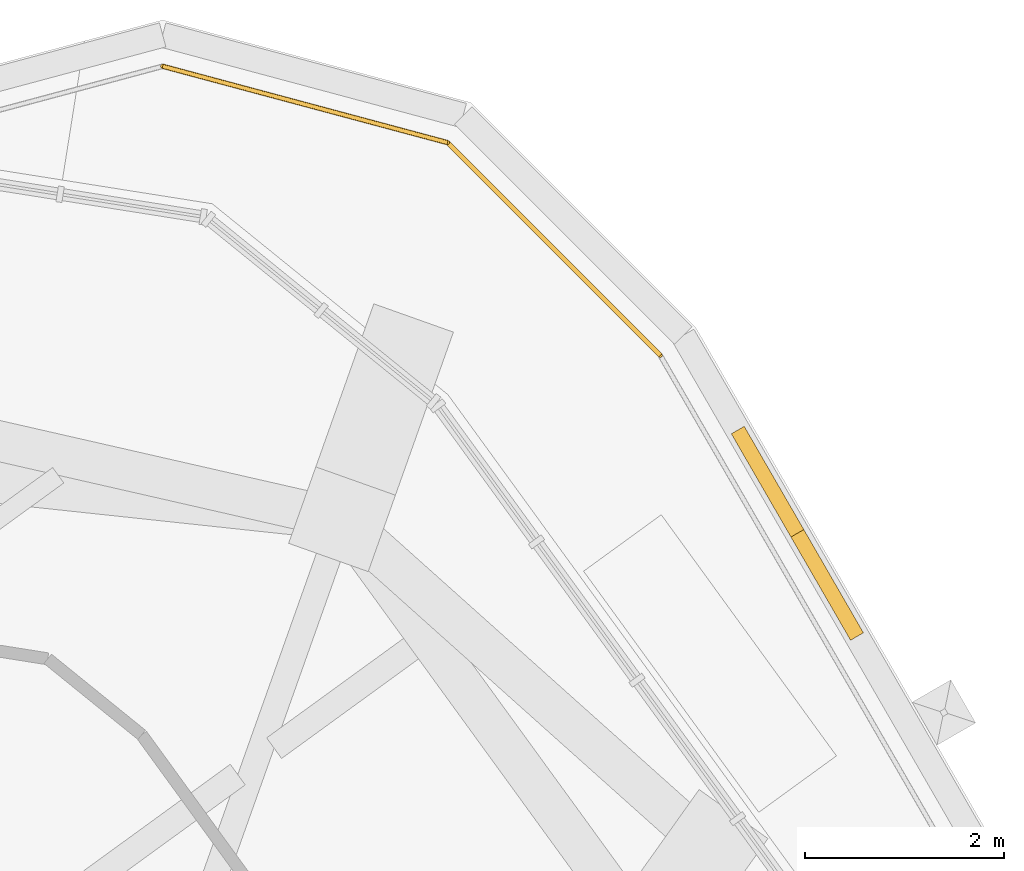
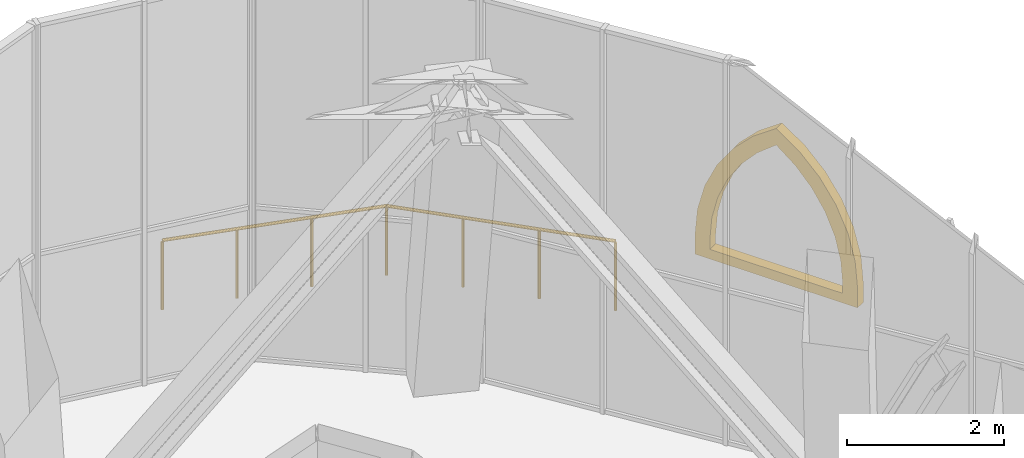
# One storey, part 17 of 18: 2 railings, 1 shading device.
"""IFC4 building model written with IfcOpenShell, lengths in metres."""

from ifc_helpers import new_model, si_unit, direction, frame, origin, origin_2d, place, context, subcontext, project, spatial, polyline, circle, outline, extrude, material, type_object, element, save


model = new_model("IFC4")

# Units and contexts
model_context = context("Model", 3, precision=1e-05, world=origin(), true_north=direction((0.0, 1.0)))
body_context = subcontext(model_context, "Body", "Model", "MODEL_VIEW")
ifc_project = project(units=[si_unit("LENGTHUNIT", "METRE"), si_unit("AREAUNIT", "SQUARE_METRE"), si_unit("VOLUMEUNIT", "CUBIC_METRE"), si_unit("PLANEANGLEUNIT", "RADIAN"), si_unit("MASSUNIT", "GRAM", prefix="KILO")], contexts=[model_context])

# Site, building, storey
site_placement = place(None, origin())
site = spatial("IfcSite", under=ifc_project, at=site_placement, CompositionType="ELEMENT")
building_placement = place(site_placement, origin())
building = spatial("IfcBuilding", under=site, at=building_placement, Name="Nakasero Lantern House", CompositionType="ELEMENT")
storey_placement = place(building_placement, frame((0.0, 0.0, 257.75)))
storey = spatial("IfcBuildingStorey", under=building, at=storey_placement, Name="L63", CompositionType="ELEMENT", Elevation=257.75)

# Shading device
ifc_material_1 = material(Name="Aluminium 6063-T6", Category="aluminium")
shading_device_type = type_object("IfcShadingDeviceType", Name="Lancet screen 2400", PredefinedType="USERDEFINED", material=ifc_material_1)
shading_device_placement = place(storey_placement, frame((10.635498046875, 16.878662109375, 1.10009765625), z_axis=(0.0, 0.0, 1.0), x_axis=(-0.5, 0.866025404, 0.0)))
element("IfcShadingDevice", 1, at=shading_device_placement, inside=storey, type_object=shading_device_type, Name="Tracery screen L63 0-01", ObjectType="LANCET SCREEN", PredefinedType="USERDEFINED", context=body_context, shape_type="SweptSolid", body=[
    extrude(outline(polyline([(-1.199951171875, 0.0), (1.199951171875, 0.0), (1.199951171875, 0.300048828125), (1.16357421875, 0.716796875), (1.05517578125, 1.120849609375), (0.87841796875, 1.5), (0.638427734375, 1.8427734375), (0.3427734375, 2.138427734375), (0.0, 2.37841796875), (-0.3427734375, 2.138427734375), (-0.638427734375, 1.8427734375), (-0.87841796875, 1.5), (-1.05517578125, 1.120849609375), (-1.16357421875, 0.716796875), (-1.199951171875, 0.300048828125), (-1.199951171875, 0.0)]), holes=[polyline([(-0.97998046875, 0.14990234375), (0.97998046875, 0.14990234375), (0.97998046875, 0.300048828125), (0.950439453125, 0.6572265625), (0.86279296875, 1.0048828125), (0.719482421875, 1.33349609375), (0.524169921875, 1.63427734375), (0.281982421875, 1.898681640625), (0.0, 2.1201171875), (-0.281982421875, 1.898681640625), (-0.524169921875, 1.63427734375), (-0.719482421875, 1.33349609375), (-0.86279296875, 1.0048828125), (-0.950439453125, 0.6572265625), (-0.97998046875, 0.300048828125), (-0.97998046875, 0.14990234375)])]), frame((0.0, 0.074951171875, 0.0), z_axis=(0.0, -1.0, 0.0), x_axis=(1.0, 0.0, 0.0)), (0.0, 0.0, 1.0), 0.14990234375),
])

# Railings
ifc_material_2 = material(Name="Aluminium 6063-T6", Category="aluminium")
railing_type = type_object("IfcRailingType", Name="Sky garden guard 1100", PredefinedType="GUARDRAIL", material=ifc_material_2)
railing_1_placement = place(storey_placement, frame((4.245849609375, 21.580078125, 0.0)))
element("IfcRailing", 2, at=railing_1_placement, inside=storey, type_object=railing_type, Name="Sky garden guard L63 10", PredefinedType="GUARDRAIL", context=body_context, shape_type="SweptSolid", body=[
    extrude(circle(Radius=0.02392578125, at=origin_2d()), frame((0.0, 0.0, 1.076171875), z_axis=(0.965921617442, -0.258834752222, 0.0), x_axis=(0.258834752222, 0.965921617442, 0.0)), (0.0, 0.0, 1.0), 2.96826171875),
    extrude(circle(Radius=0.02099609375, at=origin_2d()), origin(), (0.0, 0.0, 1.0), 1.052001953125),
    extrude(circle(Radius=0.02099609375, at=origin_2d()), frame((0.955810546875, -0.256103515625, 0.0)), (0.0, 0.0, 1.0), 1.052001953125),
    extrude(circle(Radius=0.02099609375, at=origin_2d()), frame((1.911376953125, -0.51220703125, 0.0)), (0.0, 0.0, 1.0), 1.052001953125),
    extrude(circle(Radius=0.02099609375, at=origin_2d()), frame((2.8671875, -0.768310546875, 0.0)), (0.0, 0.0, 1.0), 1.052001953125),
])
railing_2_placement = place(storey_placement, frame((7.113037109375, 20.811767578125, 0.0)))
element("IfcRailing", 3, at=railing_2_placement, inside=storey, type_object=railing_type, Name="Sky garden guard L63 11", PredefinedType="GUARDRAIL", context=body_context, shape_type="SweptSolid", body=[
    extrude(circle(Radius=0.02392578125, at=origin_2d()), frame((0.0, 0.0, 1.076171875), z_axis=(0.707106781187, -0.707106781187, 0.0), x_axis=(0.707106781187, 0.707106781187, 0.0)), (0.0, 0.0, 1.0), 3.029296875),
    extrude(circle(Radius=0.02099609375, at=origin_2d()), origin(), (0.0, 0.0, 1.0), 1.052001953125),
    extrude(circle(Radius=0.02099609375, at=origin_2d()), frame((0.714111328125, -0.714111328125, 0.0)), (0.0, 0.0, 1.0), 1.052001953125),
    extrude(circle(Radius=0.02099609375, at=origin_2d()), frame((1.427978515625, -1.427978515625, 0.0)), (0.0, 0.0, 1.0), 1.052001953125),
    extrude(circle(Radius=0.02099609375, at=origin_2d()), frame((2.14208984375, -2.14208984375, 0.0)), (0.0, 0.0, 1.0), 1.052001953125),
])

save(model, "model.ifc")
